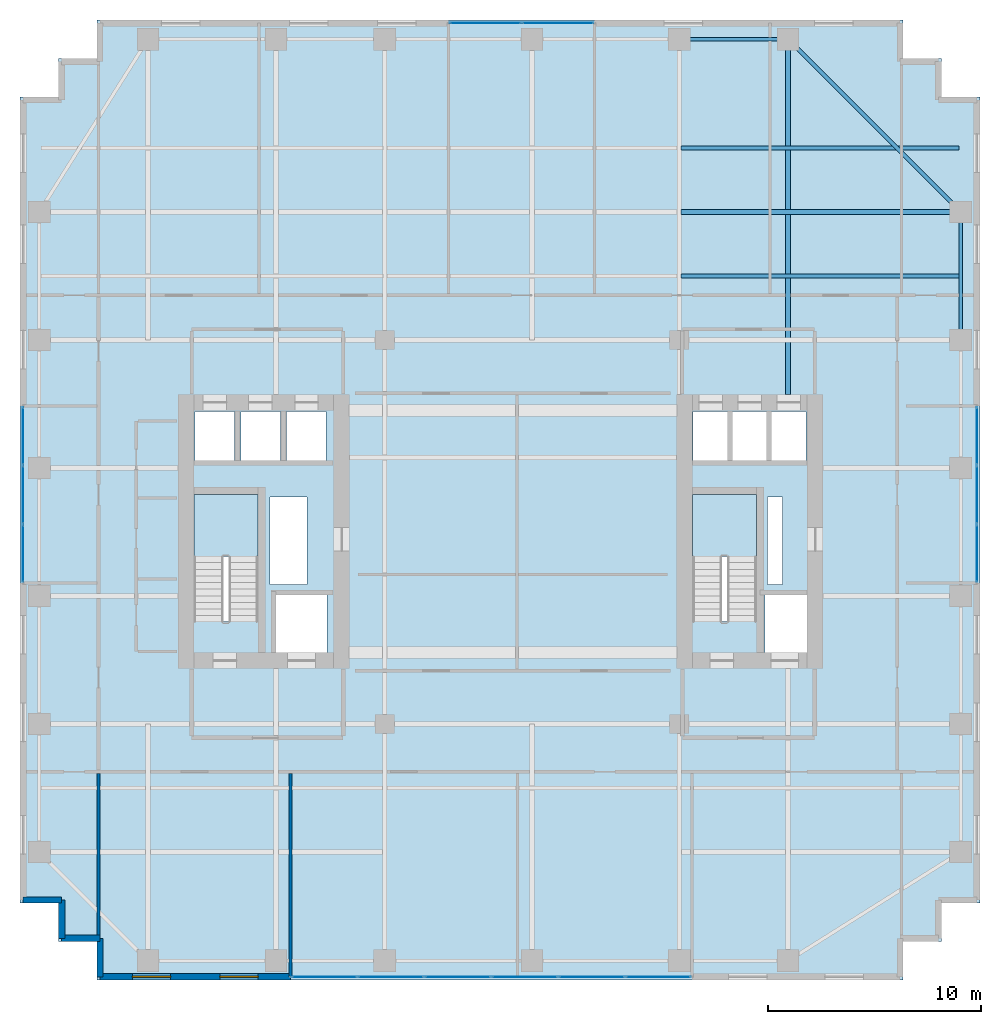
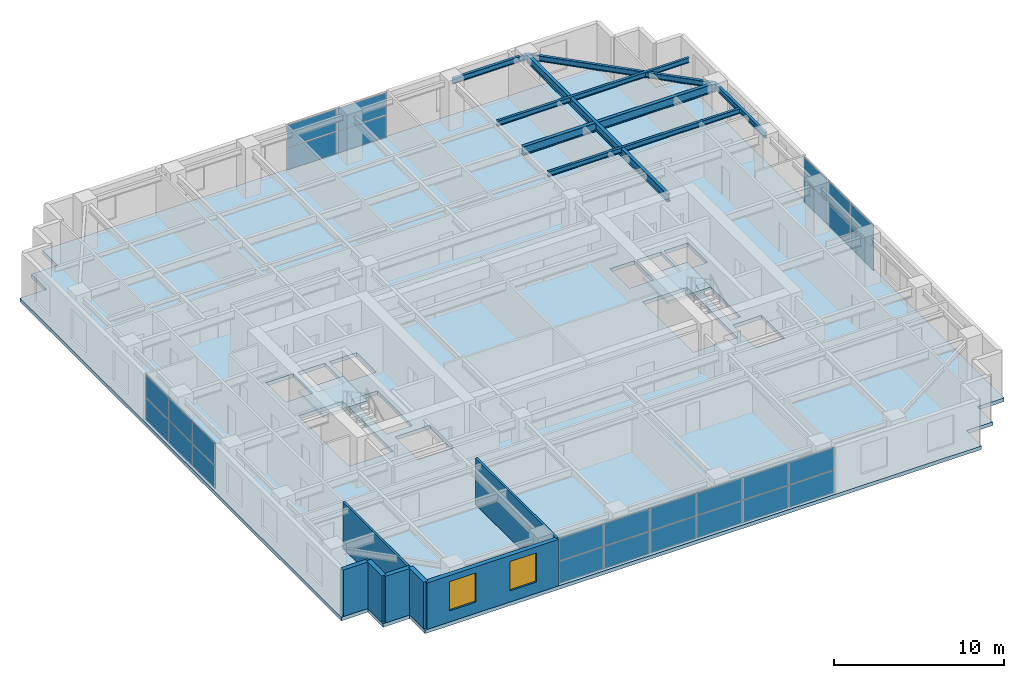
# One storey, part 13 of 18: 28 plates, 7 beams, 7 walls, 3 slabs, 2 windows, 2 openings, 6 elements without a shape of their own.
"""IFC4 building model written with IfcOpenShell, lengths in metres."""

from ifc_helpers import new_model, si_unit, direction, frame, frame_2d, origin, origin_2d, place, context, subcontext, project, spatial, polyline, rectangle, i_section, outline, extrude, source, transform, mapped, material, layer, layer_set, material_profile, profile_set, type_object, element, fill, aggregate, save


model = new_model("IFC4")

# Units and contexts
model_context = context("Model", 3, precision=1e-05, world=origin(), true_north=direction((0.0, 1.0)))
body_context = subcontext(model_context, "Body", "Model", "MODEL_VIEW")
ifc_project = project(units=[si_unit("LENGTHUNIT", "METRE"), si_unit("AREAUNIT", "SQUARE_METRE"), si_unit("VOLUMEUNIT", "CUBIC_METRE"), si_unit("PLANEANGLEUNIT", "RADIAN"), si_unit("MASSUNIT", "GRAM", prefix="KILO")], contexts=[model_context])

# Site, building, storey
site_placement = place(None, origin())
site = spatial("IfcSite", under=ifc_project, at=site_placement, CompositionType="ELEMENT")
building_placement = place(site_placement, origin())
building = spatial("IfcBuilding", under=site, at=building_placement, Name="Khoralis Quay Care Tower", CompositionType="ELEMENT")
storey_placement = place(building_placement, frame((0.0, 0.0, 130.5)))
storey = spatial("IfcBuildingStorey", under=building, at=storey_placement, Name="L34", CompositionType="ELEMENT", Elevation=130.5)

# Beams
ifc_material_1 = material(Name="Steel S355", Category="steel")
ifc_material_profile_1 = material_profile(ifc_material_1, i_section(OverallWidth=0.179931640625, OverallDepth=0.39990234375, WebThickness=0.008544921875, FlangeThickness=0.013427734375, FilletRadius=0.02099609375, at=origin_2d()), Name="Steel S355")
ifc_profile_set_1 = profile_set([ifc_material_profile_1], Name="Steel S355")
beam_type_1 = type_object("IfcBeamType", Name="BM-IPE400", PredefinedType="SPANDREL", material=ifc_profile_set_1)
shared_shape_1 = source(origin(), body_context, "Body", "SweptSolid", [
    extrude(i_section(OverallWidth=0.179931640625, OverallDepth=0.39990234375, WebThickness=0.008544921875, FlangeThickness=0.013427734375, FilletRadius=0.02099609375, at=origin_2d()), origin(), (0.0, 0.0, 1.0), 6.0),
])
beam_1_placement = place(storey_placement, frame((44.10009765625, 30.0, 3.139892578125), z_axis=(0.0, 1.0, 0.0), x_axis=(-1.0, 0.0, 0.0)))
element("IfcBeam", 1, at=beam_1_placement, inside=storey, type_object=beam_type_1, Name="BM-TSP-L34-20", PredefinedType="SPANDREL", context=body_context, shape_type="MappedRepresentation", body=[
    mapped(shared_shape_1, transform((0.0, 0.0, 0.0), scale=1.0)),
])
shared_shape_2 = source(origin(), body_context, "Body", "SweptSolid", [
    extrude(i_section(OverallWidth=0.179931640625, OverallDepth=0.39990234375, WebThickness=0.008544921875, FlangeThickness=0.013427734375, FilletRadius=0.02099609375, at=origin_2d()), origin(), (0.0, 0.0, 1.0), 5.10009765625),
])
beam_2_placement = place(storey_placement, frame((30.89990234375, 44.10009765625, 3.139892578125), z_axis=(1.0, 0.0, 0.0), x_axis=(0.0, 1.0, 0.0)))
element("IfcBeam", 2, at=beam_2_placement, inside=storey, type_object=beam_type_1, Name="BM-TSP-L34-10", PredefinedType="SPANDREL", context=body_context, shape_type="MappedRepresentation", body=[
    mapped(shared_shape_2, transform((0.0, 0.0, 0.0), scale=1.0)),
])
shared_shape_3 = source(origin(), body_context, "Body", "SweptSolid", [
    extrude(i_section(OverallWidth=0.179931640625, OverallDepth=0.39990234375, WebThickness=0.008544921875, FlangeThickness=0.013427734375, FilletRadius=0.02099609375, at=origin_2d()), origin(), (0.0, 0.0, 1.0), 11.455322265625),
])
beam_3_placement = place(storey_placement, frame((36.0, 44.10009765625, 3.139892578125), z_axis=(0.707106781187, -0.707106781187, 0.0), x_axis=(0.707106781187, 0.707106781187, 0.0)))
element("IfcBeam", 3, at=beam_3_placement, inside=storey, type_object=beam_type_1, Name="BM-TCR-L34-24", PredefinedType="SPANDREL", context=body_context, shape_type="MappedRepresentation", body=[
    mapped(shared_shape_3, transform((0.0, 0.0, 0.0), scale=1.0)),
])
ifc_material_profile_2 = material_profile(ifc_material_1, i_section(OverallWidth=0.22998046875, OverallDepth=0.616943359375, WebThickness=0.01318359375, FlangeThickness=0.022216796875, FilletRadius=0.01806640625, at=origin_2d()), Name="Steel S355")
ifc_profile_set_2 = profile_set([ifc_material_profile_2], Name="Steel S355")
beam_type_2 = type_object("IfcBeamType", Name="BM-W610X140", PredefinedType="BEAM", material=ifc_profile_set_2)
shared_shape_4 = source(origin(), body_context, "Body", "SweptSolid", [
    extrude(i_section(OverallWidth=0.22998046875, OverallDepth=0.616943359375, WebThickness=0.01318359375, FlangeThickness=0.022216796875, FilletRadius=0.01806640625, at=origin_2d()), origin(), (0.0, 0.0, 1.0), 13.106201171875),
])
beam_4_placement = place(storey_placement, frame((30.993896484375, 36.0, 3.031494140625), z_axis=(1.0, 0.0, 0.0), x_axis=(0.0, 1.0, 0.0)))
element("IfcBeam", 4, at=beam_4_placement, inside=storey, type_object=beam_type_2, Name="BM-TGXE-L34-360", PredefinedType="BEAM", context=body_context, shape_type="MappedRepresentation", body=[
    mapped(shared_shape_4, transform((0.0, 0.0, 0.0), scale=1.0)),
])
ifc_material_profile_3 = material_profile(ifc_material_1, i_section(OverallWidth=0.2119140625, OverallDepth=0.5439453125, WebThickness=0.01318359375, FlangeThickness=0.021240234375, FilletRadius=0.01611328125, at=origin_2d()), Name="Steel S355")
ifc_profile_set_3 = profile_set([ifc_material_profile_3], Name="Steel S355")
beam_type_3 = type_object("IfcBeamType", Name="BM-W530X123", PredefinedType="BEAM", material=ifc_profile_set_3)
shared_shape_5 = source(origin(), body_context, "Body", "SweptSolid", [
    extrude(i_section(OverallWidth=0.2119140625, OverallDepth=0.5439453125, WebThickness=0.01318359375, FlangeThickness=0.021240234375, FilletRadius=0.01611328125, at=origin_2d()), origin(), (0.0, 0.0, 1.0), 16.652099609375),
])
beam_5_placement = place(storey_placement, frame((36.0, 27.447998046875, 3.068115234375), z_axis=(0.0, 1.0, 0.0), x_axis=(-1.0, 0.0, 0.0)))
element("IfcBeam", 5, at=beam_5_placement, inside=storey, type_object=beam_type_3, Name="BM-TGYN-L34-360", PredefinedType="BEAM", context=body_context, shape_type="MappedRepresentation", body=[
    mapped(shared_shape_5, transform((0.0, 0.0, 0.0), scale=1.0)),
])
ifc_material_profile_4 = material_profile(ifc_material_1, i_section(OverallWidth=0.1708984375, OverallDepth=0.35498046875, WebThickness=0.007080078125, FlangeThickness=0.01171875, FilletRadius=0.012939453125, at=origin_2d()), Name="Steel S355")
ifc_profile_set_4 = profile_set([ifc_material_profile_4], Name="Steel S355")
beam_type_4 = type_object("IfcBeamType", Name="BM-W360X51", PredefinedType="JOIST", material=ifc_profile_set_4)
shared_shape_6 = source(origin(), body_context, "Body", "SweptSolid", [
    extrude(i_section(OverallWidth=0.1708984375, OverallDepth=0.35498046875, WebThickness=0.007080078125, FlangeThickness=0.01171875, FilletRadius=0.012939453125, at=origin_2d()), origin(), (0.0, 0.0, 1.0), 13.030029296875),
])
for number, where, z_axis, x_axis, name in (
    (6, (30.993896484375, 33.0, 3.16259765625), (1.0, 0.0, 0.0), (0.0, 1.0, 0.0), "BM-TJS-L34-29"),
    (7, (30.993896484375, 39.0, 3.16259765625), (1.0, 0.0, 0.0), (0.0, 1.0, 0.0), "BM-TJS-L34-32"),
):
    element("IfcBeam", number, at=place(storey_placement, frame(where, z_axis=z_axis, x_axis=x_axis)), inside=storey, type_object=beam_type_4, Name=name, PredefinedType="JOIST", context=body_context, shape_type="MappedRepresentation", body=[
        mapped(shared_shape_6, transform((0.0, 0.0, 0.0), scale=1.0)),
    ])

# Stair, slab
ifc_material_2 = material(Name="Precast concrete C45/55", Category="concrete")
stair_type = type_object("IfcStairType", Name="ST-TWR-DOGLEG-1400", PredefinedType="HALF_TURN_STAIR", material=ifc_material_2)
stair_1_placement = place(storey_placement, origin())
stair_1 = element("IfcStair", 8, at=stair_1_placement, inside=storey, type_object=stair_type, Name="L34 West Core Exit Stair ST-T1", PredefinedType="HALF_TURN_STAIR")
ifc_layer_1 = layer(ifc_material_2, 0.199951171875)
ifc_layer_set_1 = layer_set([ifc_layer_1], Name="Precast concrete C45/55")
slab_type_1 = type_object("IfcSlabType", Name="SLB-LANDING-200", PredefinedType="LANDING", material=ifc_layer_set_1)
slab_1_placement = place(storey_placement, frame((0.0, 0.0, 1.60009765625)))
slab_1 = element("IfcSlab", 9, at=slab_1_placement, type_object=slab_type_1, Name="ST-T1 landing 1", PredefinedType="LANDING", context=body_context, shape_type="SweptSolid", body=[
    extrude(outline(polyline([(11.14990234375, 19.840087890625), (11.14990234375, 22.75), (8.14990234375, 22.75), (8.14990234375, 19.840087890625), (11.14990234375, 19.840087890625)])), origin(), (0.0, 0.0, 1.0), 0.199951171875),
])
aggregate(stair_1, [slab_1])

stair_2_placement = place(storey_placement, origin())
stair_2 = element("IfcStair", 10, at=stair_2_placement, inside=storey, type_object=stair_type, Name="L34 East Core Exit Stair ST-T2", PredefinedType="HALF_TURN_STAIR")
slab_2_placement = place(storey_placement, frame((0.0, 0.0, 1.60009765625)))
slab_2 = element("IfcSlab", 11, at=slab_2_placement, type_object=slab_type_1, Name="ST-T2 landing 1", PredefinedType="LANDING", context=body_context, shape_type="SweptSolid", body=[
    extrude(outline(polyline([(34.52001953125, 19.840087890625), (34.52001953125, 22.75), (31.52001953125, 22.75), (31.52001953125, 19.840087890625), (34.52001953125, 19.840087890625)])), origin(), (0.0, 0.0, 1.0), 0.199951171875),
])
aggregate(stair_2, [slab_2])

# Slab
ifc_material_3 = material(Name="Concrete C40/50", Category="concrete")
ifc_layer_2 = layer(ifc_material_3, 0.260009765625)
ifc_layer_set_2 = layer_set([ifc_layer_2], Name="Concrete C40/50")
slab_type_2 = type_object("IfcSlabType", Name="SLB-TWR-260", PredefinedType="FLOOR", material=ifc_layer_set_2)
slab_3_placement = place(storey_placement, frame((0.0, 0.0, -0.260009765625)))
element("IfcSlab", 12, at=slab_3_placement, inside=storey, type_object=slab_type_2, Name="Tower Floor Slab L34", PredefinedType="FLOOR", context=body_context, shape_type="SweptSolid", body=[
    extrude(outline(polyline([(3.60009765625, 0.0), (41.39990234375, 0.0), (41.39990234375, 1.800048828125), (43.199951171875, 1.800048828125), (43.199951171875, 3.60009765625), (45.0, 3.60009765625), (45.0, 41.39990234375), (43.199951171875, 41.39990234375), (43.199951171875, 43.199951171875), (41.39990234375, 43.199951171875), (41.39990234375, 45.0), (3.60009765625, 45.0), (3.60009765625, 43.199951171875), (1.800048828125, 43.199951171875), (1.800048828125, 41.39990234375), (0.0, 41.39990234375), (0.0, 3.60009765625), (1.800048828125, 3.60009765625), (1.800048828125, 1.800048828125), (3.60009765625, 1.800048828125), (3.60009765625, 0.0)]), holes=[polyline([(11.14990234375, 16.800048828125), (11.14990234375, 22.75), (8.14990234375, 22.75), (8.14990234375, 16.800048828125), (11.14990234375, 16.800048828125)]), polyline([(34.52001953125, 16.800048828125), (34.52001953125, 22.75), (31.52001953125, 22.75), (31.52001953125, 16.800048828125), (34.52001953125, 16.800048828125)]), polyline([(12.0, 15.35009765625), (14.39990234375, 15.35009765625), (14.39990234375, 18.050048828125), (12.0, 18.050048828125), (12.0, 15.35009765625)]), polyline([(34.919921875, 15.35009765625), (36.8798828125, 15.35009765625), (36.8798828125, 18.050048828125), (34.919921875, 18.050048828125), (34.919921875, 15.35009765625)]), polyline([(8.199951171875, 24.35009765625), (10.050048828125, 24.35009765625), (10.050048828125, 26.64990234375), (8.199951171875, 26.64990234375), (8.199951171875, 24.35009765625)]), polyline([(31.550048828125, 24.35009765625), (33.199951171875, 24.35009765625), (33.199951171875, 26.64990234375), (31.550048828125, 26.64990234375), (31.550048828125, 24.35009765625)]), polyline([(10.35009765625, 24.35009765625), (12.199951171875, 24.35009765625), (12.199951171875, 26.64990234375), (10.35009765625, 26.64990234375), (10.35009765625, 24.35009765625)]), polyline([(33.3798828125, 24.35009765625), (35.030029296875, 24.35009765625), (35.030029296875, 26.64990234375), (33.3798828125, 26.64990234375), (33.3798828125, 24.35009765625)]), polyline([(12.5, 24.35009765625), (14.35009765625, 24.35009765625), (14.35009765625, 26.64990234375), (12.5, 26.64990234375), (12.5, 24.35009765625)]), polyline([(35.199951171875, 24.35009765625), (36.85009765625, 24.35009765625), (36.85009765625, 26.64990234375), (35.199951171875, 26.64990234375), (35.199951171875, 24.35009765625)]), polyline([(11.719970703125, 18.550048828125), (13.449951171875, 18.550048828125), (13.449951171875, 22.64990234375), (11.719970703125, 22.64990234375), (11.719970703125, 18.550048828125)]), polyline([(35.050048828125, 18.550048828125), (35.75, 18.550048828125), (35.75, 22.64990234375), (35.050048828125, 22.64990234375), (35.050048828125, 18.550048828125)])]), origin(), (0.0, 0.0, 1.0), 0.260009765625),
])

# Curtain wall, plates
ifc_material_4 = material(Name="Pale anodised aluminium", Category="aluminium")
ifc_layer_3 = layer(ifc_material_4, 0.169921875)
ifc_layer_set_3 = layer_set([ifc_layer_3], Name="Pale anodised aluminium")
curtain_wall_type = type_object("IfcCurtainWallType", Name="CW-SYS-Z2", PredefinedType="NOTDEFINED", material=ifc_layer_set_3)
curtain_wall_1_placement = place(storey_placement, origin())
curtain_wall_1 = element("IfcCurtainWall", 13, at=curtain_wall_1_placement, inside=storey, type_object=curtain_wall_type, Name="L34 Unitised Curtain Wall CW-L34-P1-E0", PredefinedType="NOTDEFINED")
ifc_material_5 = material(Name="Low-E solar-control double glazing", Category="glass")
ifc_layer_4 = layer(ifc_material_5, 0.031982421875)
ifc_layer_set_4 = layer_set([ifc_layer_4], Name="Low-E solar-control double glazing")
plate_type = type_object("IfcPlateType", Name="PNL-VIS-32", PredefinedType="CURTAIN_PANEL", material=ifc_layer_set_4)
shared_shape_7 = source(origin(), body_context, "Body", "SweptSolid", [
    extrude(rectangle(XDim=3.046630859375, YDim=0.028076171875, at=origin_2d()), origin(), (0.0, 0.0, 1.0), 1.580078125),
])
plate_1_placement = place(storey_placement, frame((14.263427734375, 0.14990234375, 0.06005859375), z_axis=(0.0, 0.0, 1.0), x_axis=(1.0, 0.0, 0.0)))
plate_1 = element("IfcPlate", 14, at=plate_1_placement, type_object=plate_type, Name="CW2 panel 1.1", PredefinedType="CURTAIN_PANEL", context=body_context, shape_type="MappedRepresentation", body=[
    mapped(shared_shape_7, transform((0.0, 0.0, 0.0), scale=1.0)),
])
plate_2_placement = place(storey_placement, frame((14.263427734375, 0.14990234375, 1.699951171875), z_axis=(0.0, 0.0, 1.0), x_axis=(1.0, 0.0, 0.0)))
plate_2 = element("IfcPlate", 15, at=plate_2_placement, type_object=plate_type, Name="CW2 panel 1.2", PredefinedType="CURTAIN_PANEL", context=body_context, shape_type="MappedRepresentation", body=[
    mapped(shared_shape_7, transform((0.0, 0.0, 0.0), scale=1.0)),
])
plate_3_placement = place(storey_placement, frame((29.916748046875, 0.14990234375, 0.06005859375), z_axis=(0.0, 0.0, 1.0), x_axis=(1.0, 0.0, 0.0)))
plate_3 = element("IfcPlate", 16, at=plate_3_placement, type_object=plate_type, Name="CW2 panel 6.1", PredefinedType="CURTAIN_PANEL", context=body_context, shape_type="MappedRepresentation", body=[
    mapped(shared_shape_7, transform((0.0, 0.0, 0.0), scale=1.0)),
])
plate_4_placement = place(storey_placement, frame((29.916748046875, 0.14990234375, 1.699951171875), z_axis=(0.0, 0.0, 1.0), x_axis=(1.0, 0.0, 0.0)))
plate_4 = element("IfcPlate", 17, at=plate_4_placement, type_object=plate_type, Name="CW2 panel 6.2", PredefinedType="CURTAIN_PANEL", context=body_context, shape_type="MappedRepresentation", body=[
    mapped(shared_shape_7, transform((0.0, 0.0, 0.0), scale=1.0)),
])
shared_shape_8 = source(origin(), body_context, "Body", "SweptSolid", [
    extrude(rectangle(XDim=3.07666015625, YDim=0.028076171875, at=origin_2d()), origin(), (0.0, 0.0, 1.0), 1.580078125),
])
plate_5_placement = place(storey_placement, frame((17.385009765625, 0.14990234375, 0.06005859375), z_axis=(0.0, 0.0, 1.0), x_axis=(1.0, 0.0, 0.0)))
plate_5 = element("IfcPlate", 18, at=plate_5_placement, type_object=plate_type, Name="CW2 panel 2.1", PredefinedType="CURTAIN_PANEL", context=body_context, shape_type="MappedRepresentation", body=[
    mapped(shared_shape_8, transform((0.0, 0.0, 0.0), scale=1.0)),
])
plate_6_placement = place(storey_placement, frame((17.385009765625, 0.14990234375, 1.699951171875), z_axis=(0.0, 0.0, 1.0), x_axis=(1.0, 0.0, 0.0)))
plate_6 = element("IfcPlate", 19, at=plate_6_placement, type_object=plate_type, Name="CW2 panel 2.2", PredefinedType="CURTAIN_PANEL", context=body_context, shape_type="MappedRepresentation", body=[
    mapped(shared_shape_8, transform((0.0, 0.0, 0.0), scale=1.0)),
])
plate_7_placement = place(storey_placement, frame((20.521728515625, 0.14990234375, 0.06005859375), z_axis=(0.0, 0.0, 1.0), x_axis=(1.0, 0.0, 0.0)))
plate_7 = element("IfcPlate", 20, at=plate_7_placement, type_object=plate_type, Name="CW2 panel 3.1", PredefinedType="CURTAIN_PANEL", context=body_context, shape_type="MappedRepresentation", body=[
    mapped(shared_shape_8, transform((0.0, 0.0, 0.0), scale=1.0)),
])
plate_8_placement = place(storey_placement, frame((20.521728515625, 0.14990234375, 1.699951171875), z_axis=(0.0, 0.0, 1.0), x_axis=(1.0, 0.0, 0.0)))
plate_8 = element("IfcPlate", 21, at=plate_8_placement, type_object=plate_type, Name="CW2 panel 3.2", PredefinedType="CURTAIN_PANEL", context=body_context, shape_type="MappedRepresentation", body=[
    mapped(shared_shape_8, transform((0.0, 0.0, 0.0), scale=1.0)),
])
plate_9_placement = place(storey_placement, frame((23.658447265625, 0.14990234375, 0.06005859375), z_axis=(0.0, 0.0, 1.0), x_axis=(1.0, 0.0, 0.0)))
plate_9 = element("IfcPlate", 22, at=plate_9_placement, type_object=plate_type, Name="CW2 panel 4.1", PredefinedType="CURTAIN_PANEL", context=body_context, shape_type="MappedRepresentation", body=[
    mapped(shared_shape_8, transform((0.0, 0.0, 0.0), scale=1.0)),
])
plate_10_placement = place(storey_placement, frame((23.658447265625, 0.14990234375, 1.699951171875), z_axis=(0.0, 0.0, 1.0), x_axis=(1.0, 0.0, 0.0)))
plate_10 = element("IfcPlate", 23, at=plate_10_placement, type_object=plate_type, Name="CW2 panel 4.2", PredefinedType="CURTAIN_PANEL", context=body_context, shape_type="MappedRepresentation", body=[
    mapped(shared_shape_8, transform((0.0, 0.0, 0.0), scale=1.0)),
])
plate_11_placement = place(storey_placement, frame((26.794921875, 0.14990234375, 0.06005859375), z_axis=(0.0, 0.0, 1.0), x_axis=(1.0, 0.0, 0.0)))
plate_11 = element("IfcPlate", 24, at=plate_11_placement, type_object=plate_type, Name="CW2 panel 5.1", PredefinedType="CURTAIN_PANEL", context=body_context, shape_type="MappedRepresentation", body=[
    mapped(shared_shape_8, transform((0.0, 0.0, 0.0), scale=1.0)),
])
plate_12_placement = place(storey_placement, frame((26.794921875, 0.14990234375, 1.699951171875), z_axis=(0.0, 0.0, 1.0), x_axis=(1.0, 0.0, 0.0)))
plate_12 = element("IfcPlate", 25, at=plate_12_placement, type_object=plate_type, Name="CW2 panel 5.2", PredefinedType="CURTAIN_PANEL", context=body_context, shape_type="MappedRepresentation", body=[
    mapped(shared_shape_8, transform((0.0, 0.0, 0.0), scale=1.0)),
])
aggregate(curtain_wall_1, [plate_1, plate_2, plate_5, plate_6, plate_7, plate_8, plate_9, plate_10, plate_11, plate_12, plate_3, plate_4])

curtain_wall_2_placement = place(storey_placement, origin())
curtain_wall_2 = element("IfcCurtainWall", 26, at=curtain_wall_2_placement, inside=storey, type_object=curtain_wall_type, Name="L34 Unitised Curtain Wall CW-L34-P1-E5", PredefinedType="NOTDEFINED")
shared_shape_9 = source(origin(), body_context, "Body", "SweptSolid", [
    extrude(rectangle(XDim=2.6767578125, YDim=0.028076171875, at=origin_2d()), origin(), (0.0, 0.0, 1.0), 1.580078125),
])
plate_13_placement = place(storey_placement, frame((44.85009765625, 19.998291015625, 0.06005859375), z_axis=(0.0, 0.0, 1.0), x_axis=(0.0, 1.0, 0.0)))
plate_13 = element("IfcPlate", 27, at=plate_13_placement, type_object=plate_type, Name="CW2 panel 1.1", PredefinedType="CURTAIN_PANEL", context=body_context, shape_type="MappedRepresentation", body=[
    mapped(shared_shape_9, transform((0.0, 0.0, 0.0), scale=1.0)),
])
plate_14_placement = place(storey_placement, frame((44.85009765625, 19.998291015625, 1.699951171875), z_axis=(0.0, 0.0, 1.0), x_axis=(0.0, 1.0, 0.0)))
plate_14 = element("IfcPlate", 28, at=plate_14_placement, type_object=plate_type, Name="CW2 panel 1.2", PredefinedType="CURTAIN_PANEL", context=body_context, shape_type="MappedRepresentation", body=[
    mapped(shared_shape_9, transform((0.0, 0.0, 0.0), scale=1.0)),
])
plate_15_placement = place(storey_placement, frame((44.85009765625, 25.501708984375, 0.06005859375), z_axis=(0.0, 0.0, 1.0), x_axis=(0.0, 1.0, 0.0)))
plate_15 = element("IfcPlate", 29, at=plate_15_placement, type_object=plate_type, Name="CW2 panel 3.1", PredefinedType="CURTAIN_PANEL", context=body_context, shape_type="MappedRepresentation", body=[
    mapped(shared_shape_9, transform((0.0, 0.0, 0.0), scale=1.0)),
])
plate_16_placement = place(storey_placement, frame((44.85009765625, 25.501708984375, 1.699951171875), z_axis=(0.0, 0.0, 1.0), x_axis=(0.0, 1.0, 0.0)))
plate_16 = element("IfcPlate", 30, at=plate_16_placement, type_object=plate_type, Name="CW2 panel 3.2", PredefinedType="CURTAIN_PANEL", context=body_context, shape_type="MappedRepresentation", body=[
    mapped(shared_shape_9, transform((0.0, 0.0, 0.0), scale=1.0)),
])

curtain_wall_3_placement = place(storey_placement, origin())
curtain_wall_3 = element("IfcCurtainWall", 31, at=curtain_wall_3_placement, inside=storey, type_object=curtain_wall_type, Name="L34 Unitised Curtain Wall CW-L34-P1-E15", PredefinedType="NOTDEFINED")
plate_17_placement = place(storey_placement, frame((0.14990234375, 25.501708984375, 0.06005859375), z_axis=(0.0, 0.0, 1.0), x_axis=(0.0, -1.0, 0.0)))
plate_17 = element("IfcPlate", 32, at=plate_17_placement, type_object=plate_type, Name="CW2 panel 1.1", PredefinedType="CURTAIN_PANEL", context=body_context, shape_type="MappedRepresentation", body=[
    mapped(shared_shape_9, transform((0.0, 0.0, 0.0), scale=1.0)),
])
plate_18_placement = place(storey_placement, frame((0.14990234375, 25.501708984375, 1.699951171875), z_axis=(0.0, 0.0, 1.0), x_axis=(0.0, -1.0, 0.0)))
plate_18 = element("IfcPlate", 33, at=plate_18_placement, type_object=plate_type, Name="CW2 panel 1.2", PredefinedType="CURTAIN_PANEL", context=body_context, shape_type="MappedRepresentation", body=[
    mapped(shared_shape_9, transform((0.0, 0.0, 0.0), scale=1.0)),
])
plate_19_placement = place(storey_placement, frame((0.14990234375, 19.998291015625, 0.06005859375), z_axis=(0.0, 0.0, 1.0), x_axis=(0.0, -1.0, 0.0)))
plate_19 = element("IfcPlate", 34, at=plate_19_placement, type_object=plate_type, Name="CW2 panel 3.1", PredefinedType="CURTAIN_PANEL", context=body_context, shape_type="MappedRepresentation", body=[
    mapped(shared_shape_9, transform((0.0, 0.0, 0.0), scale=1.0)),
])
plate_20_placement = place(storey_placement, frame((0.14990234375, 19.998291015625, 1.699951171875), z_axis=(0.0, 0.0, 1.0), x_axis=(0.0, -1.0, 0.0)))
plate_20 = element("IfcPlate", 35, at=plate_20_placement, type_object=plate_type, Name="CW2 panel 3.2", PredefinedType="CURTAIN_PANEL", context=body_context, shape_type="MappedRepresentation", body=[
    mapped(shared_shape_9, transform((0.0, 0.0, 0.0), scale=1.0)),
])

# Plate
shared_shape_10 = source(origin(), body_context, "Body", "SweptSolid", [
    extrude(rectangle(XDim=2.706787109375, YDim=0.028076171875, at=origin_2d()), origin(), (0.0, 0.0, 1.0), 1.580078125),
])
plate_21_placement = place(storey_placement, frame((44.85009765625, 22.75, 0.06005859375), z_axis=(0.0, 0.0, 1.0), x_axis=(0.0, 1.0, 0.0)))
plate_21 = element("IfcPlate", 36, at=plate_21_placement, type_object=plate_type, Name="CW2 panel 2.1", PredefinedType="CURTAIN_PANEL", context=body_context, shape_type="MappedRepresentation", body=[
    mapped(shared_shape_10, transform((0.0, 0.0, 0.0), scale=1.0)),
])

plate_22_placement = place(storey_placement, frame((44.85009765625, 22.75, 1.699951171875), z_axis=(0.0, 0.0, 1.0), x_axis=(0.0, 1.0, 0.0)))
plate_22 = element("IfcPlate", 37, at=plate_22_placement, type_object=plate_type, Name="CW2 panel 2.2", PredefinedType="CURTAIN_PANEL", context=body_context, shape_type="MappedRepresentation", body=[
    mapped(shared_shape_10, transform((0.0, 0.0, 0.0), scale=1.0)),
])

aggregate(curtain_wall_2, [plate_13, plate_14, plate_21, plate_22, plate_15, plate_16])

plate_23_placement = place(storey_placement, frame((0.14990234375, 22.75, 0.06005859375), z_axis=(0.0, 0.0, 1.0), x_axis=(0.0, -1.0, 0.0)))
plate_23 = element("IfcPlate", 38, at=plate_23_placement, type_object=plate_type, Name="CW2 panel 2.1", PredefinedType="CURTAIN_PANEL", context=body_context, shape_type="MappedRepresentation", body=[
    mapped(shared_shape_10, transform((0.0, 0.0, 0.0), scale=1.0)),
])

plate_24_placement = place(storey_placement, frame((0.14990234375, 22.75, 1.699951171875), z_axis=(0.0, 0.0, 1.0), x_axis=(0.0, -1.0, 0.0)))
plate_24 = element("IfcPlate", 39, at=plate_24_placement, type_object=plate_type, Name="CW2 panel 2.2", PredefinedType="CURTAIN_PANEL", context=body_context, shape_type="MappedRepresentation", body=[
    mapped(shared_shape_10, transform((0.0, 0.0, 0.0), scale=1.0)),
])

aggregate(curtain_wall_3, [plate_17, plate_18, plate_23, plate_24, plate_19, plate_20])

# Curtain wall, plates
curtain_wall_4_placement = place(storey_placement, origin())
curtain_wall_4 = element("IfcCurtainWall", 40, at=curtain_wall_4_placement, inside=storey, type_object=curtain_wall_type, Name="L34 Unitised Curtain Wall CW-L34-P1-E10", PredefinedType="NOTDEFINED")
shared_shape_11 = source(origin(), body_context, "Body", "SweptSolid", [
    extrude(rectangle(XDim=3.3349609375, YDim=0.028076171875, at=origin_2d()), origin(), (0.0, 0.0, 1.0), 1.580078125),
])
plate_25_placement = place(storey_placement, frame((25.21240234375, 44.85009765625, 0.06005859375), z_axis=(0.0, 0.0, 1.0), x_axis=(-1.0, 0.0, 0.0)))
plate_25 = element("IfcPlate", 41, at=plate_25_placement, type_object=plate_type, Name="CW2 panel 1.1", PredefinedType="CURTAIN_PANEL", context=body_context, shape_type="MappedRepresentation", body=[
    mapped(shared_shape_11, transform((0.0, 0.0, 0.0), scale=1.0)),
])
plate_26_placement = place(storey_placement, frame((25.21240234375, 44.85009765625, 1.699951171875), z_axis=(0.0, 0.0, 1.0), x_axis=(-1.0, 0.0, 0.0)))
plate_26 = element("IfcPlate", 42, at=plate_26_placement, type_object=plate_type, Name="CW2 panel 1.2", PredefinedType="CURTAIN_PANEL", context=body_context, shape_type="MappedRepresentation", body=[
    mapped(shared_shape_11, transform((0.0, 0.0, 0.0), scale=1.0)),
])
plate_27_placement = place(storey_placement, frame((21.8173828125, 44.85009765625, 0.06005859375), z_axis=(0.0, 0.0, 1.0), x_axis=(-1.0, 0.0, 0.0)))
plate_27 = element("IfcPlate", 43, at=plate_27_placement, type_object=plate_type, Name="CW2 panel 2.1", PredefinedType="CURTAIN_PANEL", context=body_context, shape_type="MappedRepresentation", body=[
    mapped(shared_shape_11, transform((0.0, 0.0, 0.0), scale=1.0)),
])
plate_28_placement = place(storey_placement, frame((21.8173828125, 44.85009765625, 1.699951171875), z_axis=(0.0, 0.0, 1.0), x_axis=(-1.0, 0.0, 0.0)))
plate_28 = element("IfcPlate", 44, at=plate_28_placement, type_object=plate_type, Name="CW2 panel 2.2", PredefinedType="CURTAIN_PANEL", context=body_context, shape_type="MappedRepresentation", body=[
    mapped(shared_shape_11, transform((0.0, 0.0, 0.0), scale=1.0)),
])
aggregate(curtain_wall_4, [plate_25, plate_26, plate_27, plate_28])

# Wall, openings, windows
ifc_layer_5 = layer(ifc_material_2, 0.300048828125)
ifc_layer_set_5 = layer_set([ifc_layer_5], Name="Precast concrete C45/55")
wall_type_1 = type_object("IfcWallType", Name="WL-EXT-REF-300", PredefinedType="SOLIDWALL", material=ifc_layer_set_5)
wall_1_placement = place(storey_placement, frame((3.75, 0.14990234375, 0.0), z_axis=(0.0, 0.0, 1.0), x_axis=(1.0, 0.0, 0.0)))
wall_1 = element("IfcWall", 45, at=wall_1_placement, inside=storey, type_object=wall_type_1, Name="L34 External Facade Wall WL-EXT-L34-P1-E0A", PredefinedType="SOLIDWALL", context=body_context, shape_type="SweptSolid", body=[
    extrude(rectangle(XDim=8.929931640625, YDim=0.300048828125, at=frame_2d((4.46484375, 0.0))), origin(), (0.0, 0.0, 1.0), 3.340087890625),
])
opening_1_placement = place(wall_1_placement, frame((1.512451171875, 0.0, 0.800048828125)))
opening_1 = element("IfcOpeningElement", 46, at=opening_1_placement, cuts=wall_1, Name="Opening W2", PredefinedType="OPENING", context=body_context, shape_type="SweptSolid", body=[
    extrude(rectangle(XDim=1.800048828125, YDim=2.10009765625, at=frame_2d((0.89990234375, 1.050048828125))), frame((0.0, 0.16015625, 0.0), z_axis=(0.0, -1.0, 0.0), x_axis=(1.0, 0.0, 0.0)), (0.0, 0.0, 1.0), 0.320068359375),
])
opening_2_placement = place(wall_1_placement, frame((5.617431640625, 0.0, 0.800048828125)))
opening_2 = element("IfcOpeningElement", 47, at=opening_2_placement, cuts=wall_1, Name="Opening W2", PredefinedType="OPENING", context=body_context, shape_type="SweptSolid", body=[
    extrude(rectangle(XDim=1.800048828125, YDim=2.10009765625, at=frame_2d((0.89990234375, 1.050048828125))), frame((0.0, 0.16015625, 0.0), z_axis=(0.0, -1.0, 0.0), x_axis=(1.0, 0.0, 0.0)), (0.0, 0.0, 1.0), 0.320068359375),
])
window_type = type_object("IfcWindowType", Name="WN-POD-1800X2100", PartitioningType="SINGLE_PANEL", PredefinedType="WINDOW", material=ifc_material_5)
shared_shape_12 = source(origin(), body_context, "Body", "SweptSolid", [
    extrude(rectangle(XDim=1.800048828125, YDim=2.10009765625, at=frame_2d((0.89990234375, 1.050048828125))), frame((0.0, 0.030029296875, 0.0), z_axis=(0.0, -1.0, 0.0), x_axis=(1.0, 0.0, 0.0)), (0.0, 0.0, 1.0), 0.06005859375),
])
window_1_placement = place(opening_1_placement, origin())
window_1 = element("IfcWindow", 48, at=window_1_placement, inside=storey, type_object=window_type, Name="WN-L34-P1-E0A Facade Window 01", OverallHeight=2.10009765625, OverallWidth=1.800048828125, PartitioningType="SINGLE_PANEL", PredefinedType="WINDOW", context=body_context, shape_type="MappedRepresentation", body=[
    mapped(shared_shape_12, transform((0.0, 0.0, 0.0), scale=1.0)),
])
fill(opening_1, window_1)
window_2_placement = place(opening_2_placement, origin())
window_2 = element("IfcWindow", 49, at=window_2_placement, inside=storey, type_object=window_type, Name="WN-L34-P1-E0A Facade Window 02", OverallHeight=2.10009765625, OverallWidth=1.800048828125, PartitioningType="SINGLE_PANEL", PredefinedType="WINDOW", context=body_context, shape_type="MappedRepresentation", body=[
    mapped(shared_shape_12, transform((0.0, 0.0, 0.0), scale=1.0)),
])
fill(opening_2, window_2)

# Walls
for number, where, z_axis, x_axis, name in (
    (50, (0.14990234375, 3.75, 0.0), (0.0, 0.0, 1.0), (1.0, 0.0, 0.0), "L34 External Facade Wall WL-EXT-L34-P1-C16"),
    (51, (1.949951171875, 3.75, 0.0), (0.0, 0.0, 1.0), (0.0, -1.0, 0.0), "L34 External Facade Wall WL-EXT-L34-P1-C17"),
    (52, (1.949951171875, 1.949951171875, 0.0), (0.0, 0.0, 1.0), (1.0, 0.0, 0.0), "L34 External Facade Wall WL-EXT-L34-P1-C18"),
    (53, (3.75, 1.949951171875, 0.0), (0.0, 0.0, 1.0), (0.0, -1.0, 0.0), "L34 External Facade Wall WL-EXT-L34-P1-C19"),
):
    element("IfcWall", number, at=place(storey_placement, frame(where, z_axis=z_axis, x_axis=x_axis)), inside=storey, type_object=wall_type_1, Name=name, PredefinedType="SOLIDWALL", context=body_context, shape_type="SweptSolid", body=[
        extrude(rectangle(XDim=1.800048828125, YDim=0.300048828125, at=frame_2d((0.89990234375, 0.0))), origin(), (0.0, 0.0, 1.0), 3.340087890625),
    ])
ifc_material_6 = material(Name="Gypsum plasterboard on acoustic metal stud")
ifc_layer_6 = layer(ifc_material_6, 0.139892578125)
ifc_layer_set_6 = layer_set([ifc_layer_6], Name="Gypsum plasterboard on acoustic metal stud")
wall_type_2 = type_object("IfcWallType", Name="WL-UNIT-140", PredefinedType="PARTITIONING", material=ifc_layer_set_6)
wall_2_placement = place(storey_placement, frame((3.679931640625, 1.945068359375, 0.0), z_axis=(0.0, 0.0, 1.0), x_axis=(0.0, 1.0, 0.0)))
element("IfcWall", 54, at=wall_2_placement, inside=storey, type_object=wall_type_2, Name="L34 SB Demising Wall 0", PredefinedType="PARTITIONING", context=body_context, shape_type="SweptSolid", body=[
    extrude(rectangle(XDim=7.737548828125, YDim=0.139892578125, at=frame_2d((3.86865234375, 0.0))), origin(), (0.0, 0.0, 1.0), 3.340087890625),
])
wall_3_placement = place(storey_placement, frame((12.679931640625, 0.14501953125, 0.0), z_axis=(0.0, 0.0, 1.0), x_axis=(0.0, 1.0, 0.0)))
element("IfcWall", 55, at=wall_3_placement, inside=storey, type_object=wall_type_2, Name="L34 SB Demising Wall 1", PredefinedType="PARTITIONING", context=body_context, shape_type="SweptSolid", body=[
    extrude(rectangle(XDim=9.53759765625, YDim=0.139892578125, at=frame_2d((4.768798828125, 0.0))), origin(), (0.0, 0.0, 1.0), 3.340087890625),
])

save(model, "model.ifc")
